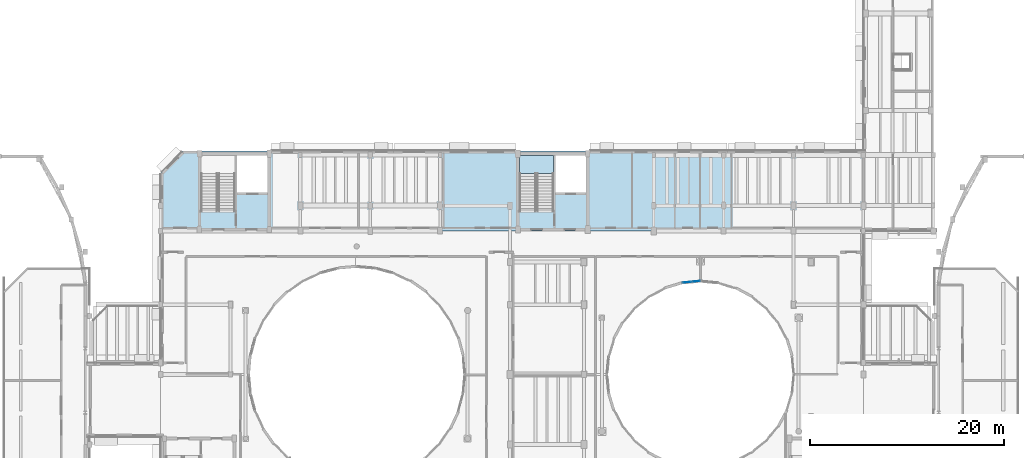
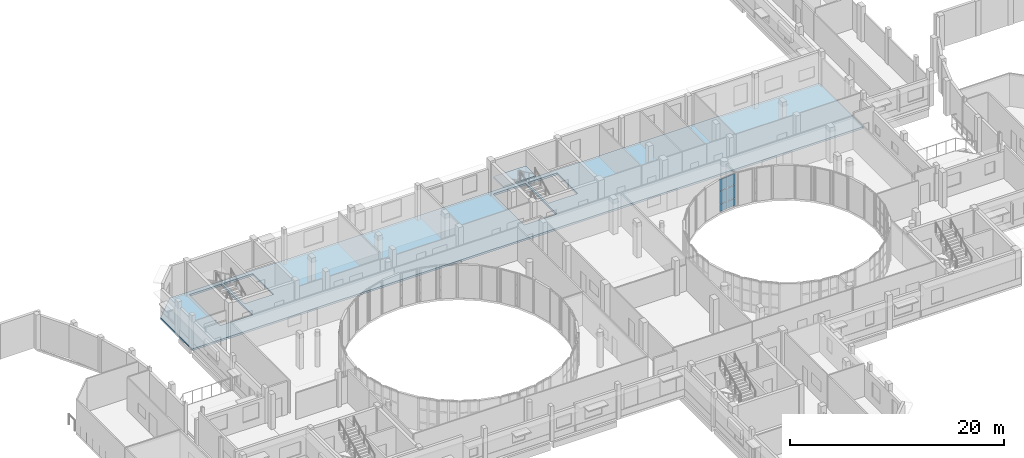
# One storey, part 61 of 92: 6 plates, 2 slabs, 2 elements without a shape of their own.
"""IFC4 building model written with IfcOpenShell, lengths in metres."""

from ifc_helpers import new_model, si_unit, direction, frame, origin, origin_2d, place, context, subcontext, project, spatial, polyline, rectangle, outline, extrude, material, layer, layer_set, type_object, element, aggregate, save


model = new_model("IFC4")

# Units and contexts
model_context = context("Model", 3, precision=1e-05, world=origin(), true_north=direction((0.0, 1.0)))
body_context = subcontext(model_context, "Body", "Model", "MODEL_VIEW")
ifc_project = project(units=[si_unit("LENGTHUNIT", "METRE"), si_unit("AREAUNIT", "SQUARE_METRE"), si_unit("VOLUMEUNIT", "CUBIC_METRE"), si_unit("PLANEANGLEUNIT", "RADIAN"), si_unit("MASSUNIT", "GRAM", prefix="KILO")], contexts=[model_context])

# Site, building, storey
site_placement = place(None, origin())
site = spatial("IfcSite", under=ifc_project, at=site_placement, CompositionType="ELEMENT")
building_placement = place(site_placement, origin())
building = spatial("IfcBuilding", under=site, at=building_placement, Name="Kelanivale Promenade Academy", CompositionType="ELEMENT")
storey_placement = place(building_placement, frame((0.0, 0.0, 8.199951171875)))
storey = spatial("IfcBuildingStorey", under=building, at=storey_placement, Name="L02", CompositionType="ELEMENT", Elevation=8.199951171875)

# Curtain wall, plates
ifc_material_1 = material(Name="Bronze anodised aluminium and solar-control low-E glass", Category="aluminium")
ifc_layer_1 = layer(ifc_material_1, 0.169921875)
ifc_layer_set_1 = layer_set([ifc_layer_1], Name="Bronze anodised aluminium and solar-control low-E glass")
curtain_wall_type = type_object("IfcCurtainWallType", Name="CW-13 Curtain Wall 1350mm Module", PredefinedType="USERDEFINED", material=ifc_layer_set_1)
curtain_wall_placement = place(storey_placement, origin())
curtain_wall = element("IfcCurtainWall", 1, at=curtain_wall_placement, inside=storey, type_object=curtain_wall_type, Name="L02 courtyard curtain wall CW-13", ObjectType="COURTYARD SCREEN GLAZING", PredefinedType="USERDEFINED")
ifc_material_2 = material(Name="Solar-control double glazing 28 mm", Category="glass")
ifc_layer_2 = layer(ifc_material_2, 0.028076171875)
ifc_layer_set_2 = layer_set([ifc_layer_2], Name="Solar-control double glazing 28 mm")
plate_type = type_object("IfcPlateType", Name="CWP-01 Plate 28mm", PredefinedType="CURTAIN_PANEL", material=ifc_layer_set_2)
plate_1_placement = place(storey_placement, frame((98.3115234375, 66.39208984375, 0.05029296875), z_axis=(0.0, 0.0, 1.0), x_axis=(-0.99513321337, -0.098538762159, 0.0)))
plate_1 = element("IfcPlate", 2, at=plate_1_placement, type_object=plate_type, Name="CW-13 panel 1.1", PredefinedType="CURTAIN_PANEL", context=body_context, shape_type="SweptSolid", body=[
    extrude(rectangle(XDim=0.83349609375, YDim=0.028076171875, at=origin_2d()), origin(), (0.0, 0.0, 1.0), 0.824951171875),
])
plate_2_placement = place(storey_placement, frame((98.3115234375, 66.39208984375, 0.92529296875), z_axis=(0.0, 0.0, 1.0), x_axis=(-0.99513321337, -0.098538762159, 0.0)))
plate_2 = element("IfcPlate", 3, at=plate_2_placement, type_object=plate_type, Name="CW-13 panel 1.2", PredefinedType="CURTAIN_PANEL", context=body_context, shape_type="SweptSolid", body=[
    extrude(rectangle(XDim=0.83349609375, YDim=0.028076171875, at=origin_2d()), origin(), (0.0, 0.0, 1.0), 1.449951171875),
])
plate_3_placement = place(storey_placement, frame((98.3115234375, 66.39208984375, 2.42529296875), z_axis=(0.0, 0.0, 1.0), x_axis=(-0.99513321337, -0.098538762159, 0.0)))
plate_3 = element("IfcPlate", 4, at=plate_3_placement, type_object=plate_type, Name="CW-13 panel 1.3", PredefinedType="CURTAIN_PANEL", context=body_context, shape_type="SweptSolid", body=[
    extrude(rectangle(XDim=0.83349609375, YDim=0.028076171875, at=origin_2d()), origin(), (0.0, 0.0, 1.0), 1.304931640625),
])
plate_4_placement = place(storey_placement, frame((97.42236328125, 66.303955078125, 0.05029296875), z_axis=(0.0, 0.0, 1.0), x_axis=(-0.99513321337, -0.098538762159, 0.0)))
plate_4 = element("IfcPlate", 5, at=plate_4_placement, type_object=plate_type, Name="CW-13 panel 2.1", PredefinedType="CURTAIN_PANEL", context=body_context, shape_type="SweptSolid", body=[
    extrude(rectangle(XDim=0.83349609375, YDim=0.028076171875, at=origin_2d()), origin(), (0.0, 0.0, 1.0), 0.824951171875),
])
plate_5_placement = place(storey_placement, frame((97.42236328125, 66.303955078125, 0.92529296875), z_axis=(0.0, 0.0, 1.0), x_axis=(-0.99513321337, -0.098538762159, 0.0)))
plate_5 = element("IfcPlate", 6, at=plate_5_placement, type_object=plate_type, Name="CW-13 panel 2.2", PredefinedType="CURTAIN_PANEL", context=body_context, shape_type="SweptSolid", body=[
    extrude(rectangle(XDim=0.83349609375, YDim=0.028076171875, at=origin_2d()), origin(), (0.0, 0.0, 1.0), 1.449951171875),
])
plate_6_placement = place(storey_placement, frame((97.42236328125, 66.303955078125, 2.42529296875), z_axis=(0.0, 0.0, 1.0), x_axis=(-0.99513321337, -0.098538762159, 0.0)))
plate_6 = element("IfcPlate", 7, at=plate_6_placement, type_object=plate_type, Name="CW-13 panel 2.3", PredefinedType="CURTAIN_PANEL", context=body_context, shape_type="SweptSolid", body=[
    extrude(rectangle(XDim=0.83349609375, YDim=0.028076171875, at=origin_2d()), origin(), (0.0, 0.0, 1.0), 1.304931640625),
])
aggregate(curtain_wall, [plate_1, plate_2, plate_3, plate_4, plate_5, plate_6])

# Slab
ifc_material_3 = material(Name="Concrete C35/45", Category="concrete")
ifc_layer_3 = layer(ifc_material_3, 0.219970703125)
ifc_layer_set_3 = layer_set([ifc_layer_3], Name="Concrete C35/45")
slab_type_1 = type_object("IfcSlabType", Name="FS-01 Slab 220mm", PredefinedType="FLOOR", material=ifc_layer_set_3)
slab_1_placement = place(storey_placement, frame((0.0, 0.0, -0.219970703125)))
element("IfcSlab", 8, at=slab_1_placement, inside=storey, type_object=slab_type_1, Name="L02 structural slab SLB-L02-V4N", PredefinedType="FLOOR", context=body_context, shape_type="SweptSolid", body=[
    extrude(outline(polyline([(43.199951171875, 77.5400390625), (43.199951171875, 71.60009765625), (115.60009765625, 71.60009765625), (115.60009765625, 79.85009765625), (45.510009765625, 79.85009765625), (43.199951171875, 77.5400390625)]), holes=[polyline([(83.885009765625, 79.385009765625), (87.034912109375, 79.385009765625), (87.034912109375, 75.52490234375), (83.885009765625, 75.52490234375), (83.885009765625, 79.385009765625)]), polyline([(83.6650390625, 79.385009765625), (83.6650390625, 73.60498046875), (80.1650390625, 73.60498046875), (80.1650390625, 79.385009765625), (83.6650390625, 79.385009765625)]), polyline([(51.0849609375, 79.385009765625), (54.235107421875, 79.385009765625), (54.235107421875, 75.52490234375), (51.0849609375, 75.52490234375), (51.0849609375, 79.385009765625)]), polyline([(50.864990234375, 79.385009765625), (50.864990234375, 73.60498046875), (47.364990234375, 73.60498046875), (47.364990234375, 79.385009765625), (50.864990234375, 79.385009765625)])]), origin(), (0.0, 0.0, 1.0), 0.219970703125),
])

# Stair, slab
stair_type = type_object("IfcStairType", Name="ST-T02 Protected dog-leg upper-storey stair", PredefinedType="HALF_TURN_STAIR", material=ifc_material_3)
stair_placement = place(storey_placement, origin())
stair = element("IfcStair", 9, at=stair_placement, inside=storey, type_object=stair_type, Name="L02 ST-02", PredefinedType="HALF_TURN_STAIR")
ifc_layer_4 = layer(ifc_material_3, 0.199951171875)
ifc_layer_set_4 = layer_set([ifc_layer_4], Name="Concrete C35/45")
slab_type_2 = type_object("IfcSlabType", Name="LS-01 Slab 200mm", PredefinedType="LANDING", material=ifc_layer_set_4)
slab_2_placement = place(storey_placement, frame((0.0, 0.0, 1.800048828125)))
slab_2 = element("IfcSlab", 10, at=slab_2_placement, type_object=slab_type_2, Name="ST-02 landing 1", PredefinedType="LANDING", context=body_context, shape_type="SweptSolid", body=[
    extrude(outline(polyline([(83.6650390625, 77.5048828125), (83.6650390625, 79.385009765625), (80.1650390625, 79.385009765625), (80.1650390625, 77.5048828125), (83.6650390625, 77.5048828125)])), origin(), (0.0, 0.0, 1.0), 0.199951171875),
])
aggregate(stair, [slab_2])

save(model, "model.ifc")
